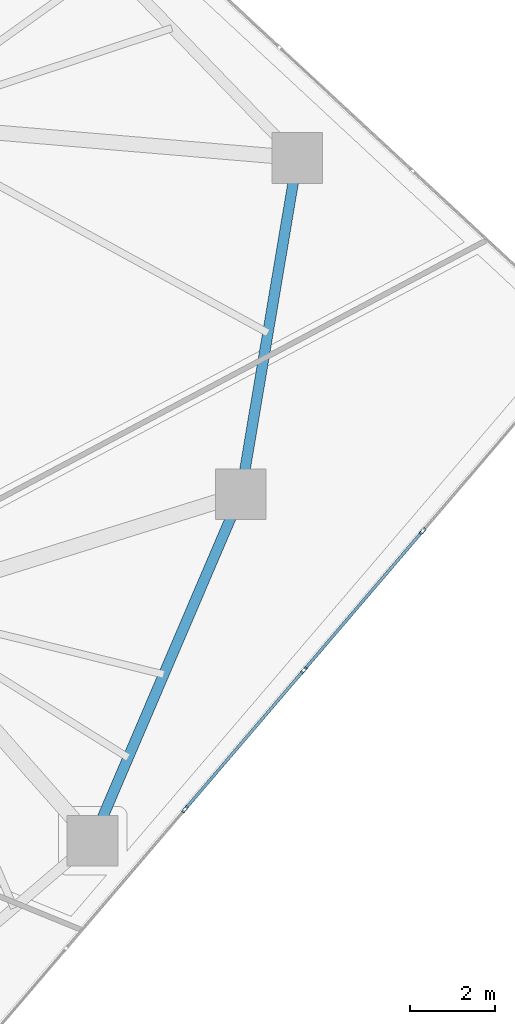
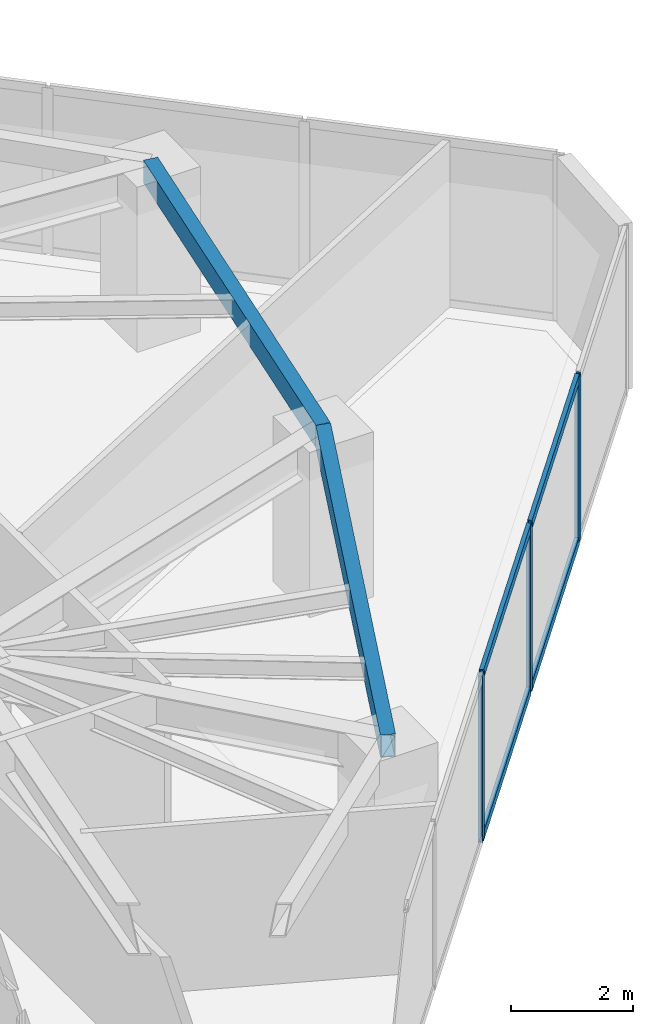
# One storey, part 12 of 22: 7 members, 2 beams, 1 element without a shape of its own.
"""IFC4 building model written with IfcOpenShell, lengths in metres."""

from ifc_helpers import new_model, si_unit, direction, frame, origin, origin_2d, place, context, subcontext, project, spatial, hollow_rectangle, extrude, source, transform, mapped, material, layer, layer_set, material_profile, profile_set, type_object, type_shapes, element, aggregate, save


model = new_model("IFC4")

# Units and contexts
model_context = context("Model", 3, precision=1e-05, world=origin(), true_north=direction((0.0, 1.0)))
body_context = subcontext(model_context, "Body", "Model", "MODEL_VIEW")
ifc_project = project(units=[si_unit("LENGTHUNIT", "METRE"), si_unit("AREAUNIT", "SQUARE_METRE"), si_unit("VOLUMEUNIT", "CUBIC_METRE"), si_unit("PLANEANGLEUNIT", "RADIAN"), si_unit("MASSUNIT", "GRAM", prefix="KILO")], contexts=[model_context])

# Site, building, storey
site_placement = place(None, origin())
site = spatial("IfcSite", under=ifc_project, at=site_placement, CompositionType="ELEMENT")
building_placement = place(site_placement, origin())
building = spatial("IfcBuilding", under=site, at=building_placement, Name="Talar Marvaseh", CompositionType="ELEMENT")
storey_placement = place(building_placement, frame((0.0, 0.0, 107.39990234375)))
storey = spatial("IfcBuildingStorey", under=building, at=storey_placement, Name="L27", CompositionType="ELEMENT", Elevation=107.39990234375)

# Beams
ifc_material_1 = material(Name="Steel S355", Category="steel")
ifc_material_profile_1 = material_profile(ifc_material_1, hollow_rectangle(XDim=0.25, YDim=0.449951171875, WallThickness=0.01611328125, at=origin_2d()), Name="RHS450x250x16")
ifc_profile_set_1 = profile_set([ifc_material_profile_1], Name="Steel S355")
beam_type = type_object("IfcBeamType", Name="Zone 2 Perimeter Spandrel Beam RHS450x250x16", PredefinedType="SPANDREL", material=ifc_profile_set_1)
beam_1_placement = place(storey_placement, frame((43.0439453125, 36.075927734375, 3.085205078125), z_axis=(-0.165641685249, -0.986186002795, 0.0), x_axis=(0.986186002795, -0.165641685249, 0.0)))
element("IfcBeam", 1, at=beam_1_placement, inside=storey, type_object=beam_type, Name="L27 Zone 2 Perimeter Spandrel Beam RHS450x250x16", PredefinedType="SPANDREL", context=body_context, shape_type="SweptSolid", body=[
    extrude(hollow_rectangle(XDim=0.25, YDim=0.449951171875, WallThickness=0.01611328125, at=origin_2d()), origin(), (0.0, 0.0, 1.0), 8.059326171875),
])
beam_2_placement = place(storey_placement, frame((41.708984375, 28.1279296875, 3.085205078125), z_axis=(-0.393369955619, -0.919380268451, 0.0), x_axis=(0.919380268451, -0.393369955619, 0.0)))
element("IfcBeam", 2, at=beam_2_placement, inside=storey, type_object=beam_type, Name="L27 Zone 2 Perimeter Spandrel Beam RHS450x250x16", PredefinedType="SPANDREL", context=body_context, shape_type="SweptSolid", body=[
    extrude(hollow_rectangle(XDim=0.25, YDim=0.449951171875, WallThickness=0.01611328125, at=origin_2d()), origin(), (0.0, 0.0, 1.0), 8.905029296875),
])

# Curtain wall, members
ifc_material_2 = material(Name="Architectural Aluminium", Category="aluminium")
ifc_layer = layer(ifc_material_2, 0.199951171875)
ifc_layer_set = layer_set([ifc_layer], Name="Architectural Aluminium")
curtain_wall_type = type_object("IfcCurtainWallType", Name="Unitised Acoustic Library Curtain Wall Z2", PredefinedType="NOTDEFINED", material=ifc_layer_set)
curtain_wall_placement = place(storey_placement, origin())
curtain_wall = element("IfcCurtainWall", 3, at=curtain_wall_placement, inside=storey, type_object=curtain_wall_type, Name="L27 Unitised Acoustic Library Curtain Wall Z2", PredefinedType="NOTDEFINED")
ifc_material_profile_2 = material_profile(ifc_material_2, hollow_rectangle(XDim=0.074951171875, YDim=0.179931640625, WallThickness=0.0048828125, at=origin_2d()), Name="RHS180x75x5")
ifc_profile_set_2 = profile_set([ifc_material_profile_2], Name="Architectural Aluminium")
member_type_1 = type_object("IfcMemberType", Name="Unitised Curtain Wall Standard Mullion RHS180x75x5", PredefinedType="MULLION", material=ifc_profile_set_2)
shared_shape_1 = source(origin(), body_context, "Body", "SweptSolid", [
    extrude(hollow_rectangle(XDim=0.074951171875, YDim=0.179931640625, WallThickness=0.0048828125, at=origin_2d()), origin(), (0.0, 0.0, 1.0), 3.31005859375),
])
type_shapes(member_type_1, [shared_shape_1])
member_1_placement = place(storey_placement, frame((46.0068359375, 27.260986328125, 0.0), z_axis=(0.0, 0.0, 1.0), x_axis=(0.760304758607, -0.649566527801, 0.0)))
member_1 = element("IfcMember", 4, at=member_1_placement, type_object=member_type_1, Name="CW-Z2 mullion 2", PredefinedType="MULLION", context=body_context, shape_type="MappedRepresentation", body=[
    mapped(shared_shape_1, transform((0.0, 0.0, 0.0), x_axis=(1.0, 0.0, 0.0), y_axis=(0.0, 1.0, 0.0), z_axis=(0.0, 0.0, 1.0), scale=1.0)),
])
member_2_placement = place(storey_placement, frame((43.198486328125, 23.9736328125, 0.0), z_axis=(0.0, 0.0, 1.0), x_axis=(0.760304758607, -0.649566527801, 0.0)))
member_2 = element("IfcMember", 5, at=member_2_placement, type_object=member_type_1, Name="CW-Z2 mullion 3", PredefinedType="MULLION", context=body_context, shape_type="MappedRepresentation", body=[
    mapped(shared_shape_1, transform((0.0, 0.0, 0.0), x_axis=(1.0, 0.0, 0.0), y_axis=(0.0, 1.0, 0.0), z_axis=(0.0, 0.0, 1.0), scale=1.0)),
])
member_3_placement = place(storey_placement, frame((40.39013671875, 20.6865234375, 0.0), z_axis=(0.0, 0.0, 1.0), x_axis=(0.760304758607, -0.649566527801, 0.0)))
member_3 = element("IfcMember", 6, at=member_3_placement, type_object=member_type_1, Name="CW-Z2 mullion 4", PredefinedType="MULLION", context=body_context, shape_type="MappedRepresentation", body=[
    mapped(shared_shape_1, transform((0.0, 0.0, 0.0), x_axis=(1.0, 0.0, 0.0), y_axis=(0.0, 1.0, 0.0), z_axis=(0.0, 0.0, 1.0), scale=1.0)),
])
ifc_material_profile_3 = material_profile(ifc_material_2, hollow_rectangle(XDim=0.074951171875, YDim=0.179931640625, WallThickness=0.0048828125, at=origin_2d()), Name="RHS180x75x5")
ifc_profile_set_3 = profile_set([ifc_material_profile_3], Name="Architectural Aluminium")
member_type_2 = type_object("IfcMemberType", Name="Unitised Curtain Wall Transom RHS180x75x5", PredefinedType="USERDEFINED", material=ifc_profile_set_3)
shared_shape_2 = source(origin(), body_context, "Body", "SweptSolid", [
    extrude(hollow_rectangle(XDim=0.074951171875, YDim=0.179931640625, WallThickness=0.0048828125, at=origin_2d()), origin(), (0.0, 0.0, 1.0), 4.24853515625),
])
type_shapes(member_type_2, [shared_shape_2])
member_4_placement = place(storey_placement, frame((45.982421875, 27.232421875, 0.03759765625), z_axis=(-0.64953637825, -0.760330515848, 0.0), x_axis=(0.760330515848, -0.64953637825, 0.0)))
member_4 = element("IfcMember", 7, at=member_4_placement, type_object=member_type_2, Name="CW-Z2 transom 2.1", ObjectType="TRANSOM", PredefinedType="USERDEFINED", context=body_context, shape_type="MappedRepresentation", body=[
    mapped(shared_shape_2, transform((0.0, 0.0, 0.0), x_axis=(1.0, 0.0, 0.0), y_axis=(0.0, 1.0, 0.0), z_axis=(0.0, 0.0, 1.0), scale=1.0)),
])
member_5_placement = place(storey_placement, frame((45.982421875, 27.232421875, 3.272705078125), z_axis=(-0.64953637825, -0.760330515848, 0.0), x_axis=(0.760330515848, -0.64953637825, 0.0)))
member_5 = element("IfcMember", 8, at=member_5_placement, type_object=member_type_2, Name="CW-Z2 transom 2.2", ObjectType="TRANSOM", PredefinedType="USERDEFINED", context=body_context, shape_type="MappedRepresentation", body=[
    mapped(shared_shape_2, transform((0.0, 0.0, 0.0), x_axis=(1.0, 0.0, 0.0), y_axis=(0.0, 1.0, 0.0), z_axis=(0.0, 0.0, 1.0), scale=1.0)),
])
member_6_placement = place(storey_placement, frame((43.174072265625, 23.945068359375, 0.03759765625), z_axis=(-0.649597977868, -0.76027788811, 0.0), x_axis=(0.76027788811, -0.649597977868, 0.0)))
member_6 = element("IfcMember", 9, at=member_6_placement, type_object=member_type_2, Name="CW-Z2 transom 3.1", ObjectType="TRANSOM", PredefinedType="USERDEFINED", context=body_context, shape_type="MappedRepresentation", body=[
    mapped(shared_shape_2, transform((0.0, 0.0, 0.0), x_axis=(1.0, 0.0, 0.0), y_axis=(0.0, 1.0, 0.0), z_axis=(0.0, 0.0, 1.0), scale=1.0)),
])
member_7_placement = place(storey_placement, frame((43.174072265625, 23.945068359375, 3.272705078125), z_axis=(-0.649597977868, -0.76027788811, 0.0), x_axis=(0.76027788811, -0.649597977868, 0.0)))
member_7 = element("IfcMember", 10, at=member_7_placement, type_object=member_type_2, Name="CW-Z2 transom 3.2", ObjectType="TRANSOM", PredefinedType="USERDEFINED", context=body_context, shape_type="MappedRepresentation", body=[
    mapped(shared_shape_2, transform((0.0, 0.0, 0.0), x_axis=(1.0, 0.0, 0.0), y_axis=(0.0, 1.0, 0.0), z_axis=(0.0, 0.0, 1.0), scale=1.0)),
])
aggregate(curtain_wall, [member_1, member_2, member_3, member_4, member_5, member_6, member_7])

save(model, "model.ifc")
